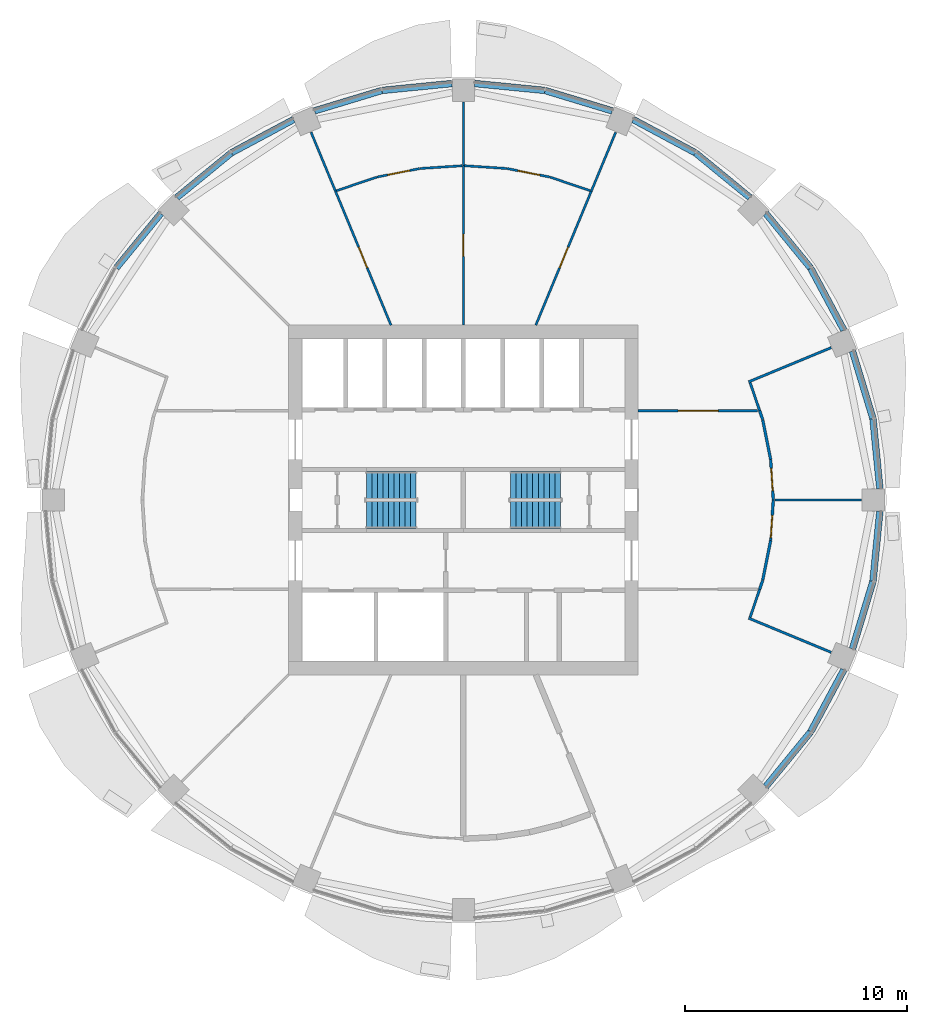
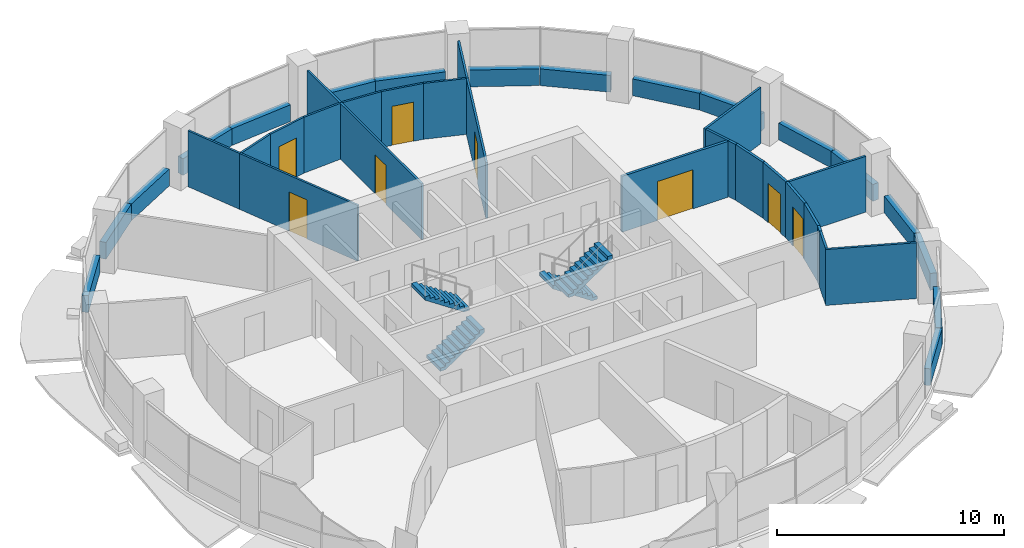
# One storey, part 10 of 15: 41 walls, 8 doors, 4 stair flights, 8 openings, 2 elements without a shape of their own.
"""IFC4 building model written with IfcOpenShell, lengths in metres."""

import ifcopenshell
import ifcopenshell.guid

model = None  # the IFC model being written
_history = None  # IfcOwnerHistory: only IFC2X3 demands one
_inside = {}  # id of a spatial element -> (the spatial element, [elements in it])
_under = {}  # id of a project, library or spatial element -> (it, [spatial elements below it])
_declared = {}  # id of a project -> (the project, [libraries it declares])
_typed = {}  # id of a type object -> (the type object, [elements of that type])
_made_of = {}  # id of a material, layer set ... -> (it, [elements and type objects made of it])


def new_model(schema):
    """Start an empty IFC model of exactly this schema.

    Asked for "IFC4X3", IfcOpenShell would pick the latest addendum, in which some entities
    have other attributes; the version numbers below select the first issue.
    IFC2X3 requires an IfcOwnerHistory on every rooted entity: one is made here for all.
    """
    global model, _history
    if schema == "IFC4X3":
        model = ifcopenshell.file(schema_version=(4, 3, 0, 0))
    else:
        model = ifcopenshell.file(schema=schema)
    _inside.clear()
    _under.clear()
    _declared.clear()
    _typed.clear()
    _made_of.clear()
    _history = None
    if model.schema == "IFC2X3":
        org = make("IfcOrganization", Name="unknown")
        user = make(
            "IfcPersonAndOrganization",
            ThePerson=make("IfcPerson", FamilyName="unknown"),
            TheOrganization=org,
        )
        app = make(
            "IfcApplication",
            ApplicationDeveloper=org,
            Version="unknown",
            ApplicationFullName="unknown",
            ApplicationIdentifier="unknown",
        )
        _history = make(
            "IfcOwnerHistory",
            OwningUser=user,
            OwningApplication=app,
            ChangeAction="ADDED",
            CreationDate=0,
        )
    return model


def make(cls, **values):
    """One entity of the class cls with the attributes given. An attribute that is None is left unset."""
    return model.create_entity(
        cls, **{name: value for name, value in values.items() if value is not None}
    )


def rooted(cls, **values):
    """An entity with a GlobalId (a new one), such as an element, a storey or a relation."""
    return make(cls, GlobalId=ifcopenshell.guid.new(), OwnerHistory=_history, **values)


def si_unit(unit_type, name, prefix=None):
    """IfcSIUnit, for example si_unit("LENGTHUNIT", "METRE", prefix="MILLI")."""
    return make("IfcSIUnit", UnitType=unit_type, Prefix=prefix, Name=name)


def assignment(units):
    """IfcUnitAssignment: the units of a project."""
    return None if units is None else make("IfcUnitAssignment", Units=units)


def point(xyz):
    """IfcCartesianPoint."""
    return None if xyz is None else make("IfcCartesianPoint", Coordinates=xyz)


def direction(xyz):
    """IfcDirection."""
    return None if xyz is None else make("IfcDirection", DirectionRatios=xyz)


def frame(location, z_axis=None, x_axis=None):
    """IfcAxis2Placement3D, a coordinate frame: its origin and axes. An axis left out is left unset."""
    return make(
        "IfcAxis2Placement3D",
        Location=point(location),
        Axis=direction(z_axis),
        RefDirection=direction(x_axis),
    )


def frame_2d(location, x_axis=None):
    """IfcAxis2Placement2D, a coordinate frame in the plane: its origin and x axis."""
    return make(
        "IfcAxis2Placement2D", Location=point(location), RefDirection=direction(x_axis)
    )


def origin():
    """The frame at (0, 0, 0) with its axes left unset."""
    return frame((0.0, 0.0, 0.0))


def place(relative_to, where):
    """IfcLocalPlacement: puts the frame where relative to a parent placement (None: the world)."""
    return make(
        "IfcLocalPlacement", PlacementRelTo=relative_to, RelativePlacement=where
    )


def context(
    kind, dimensions, precision=None, world=None, true_north=None, identifier=None
):
    """IfcGeometricRepresentationContext, for example the 3D "Model" context."""
    return make(
        "IfcGeometricRepresentationContext",
        ContextIdentifier=identifier,
        ContextType=kind,
        CoordinateSpaceDimension=dimensions,
        Precision=precision,
        WorldCoordinateSystem=world,
        TrueNorth=true_north,
    )


def subcontext(parent, identifier, kind, view, scale=None):
    """IfcGeometricRepresentationSubContext, for example "Body" below "Model"."""
    return make(
        "IfcGeometricRepresentationSubContext",
        ContextIdentifier=identifier,
        ContextType=kind,
        ParentContext=parent,
        TargetScale=scale,
        TargetView=view,
    )


def project(units=None, contexts=None):
    """IfcProject with its units and contexts."""
    return rooted(
        "IfcProject",
        Name="project",
        RepresentationContexts=contexts,
        UnitsInContext=assignment(units),
    )


def spatial(cls, under=None, at=None, **own):
    """A site, building, storey or space (cls), placed at a placement, below another one or the project."""
    s = rooted(cls, ObjectPlacement=at, **own)
    if under is not None:
        _under.setdefault(under.id(), (under, []))[1].append(s)
    return s


def polyline(points):
    """IfcPolyline through the points."""
    return make("IfcPolyline", Points=[point(p) for p in points])


def profile(cls, at=None, kind="AREA", **sizes):
    """A parametric profile (cls). Its sizes go by their IFC names, for example OverallWidth=200.0."""
    return make(cls, ProfileType=kind, Position=at, **sizes)


def rectangle(**sizes):
    """IfcRectangleProfileDef."""
    return profile("IfcRectangleProfileDef", **sizes)


def outline(outer, holes=None, kind="AREA"):
    """IfcArbitraryClosedProfileDef: a profile drawn as a closed curve; with holes, ...WithVoids."""
    if holes is None:
        return make("IfcArbitraryClosedProfileDef", ProfileType=kind, OuterCurve=outer)
    return make(
        "IfcArbitraryProfileDefWithVoids",
        ProfileType=kind,
        OuterCurve=outer,
        InnerCurves=holes,
    )


def extrude(swept, where, along, depth):
    """IfcExtrudedAreaSolid: the profile swept, set in the frame where, extruded along a direction by depth."""
    return make(
        "IfcExtrudedAreaSolid",
        SweptArea=swept,
        Position=where,
        ExtrudedDirection=direction(along),
        Depth=depth,
    )


def shape(context_of_items, identifier, shape_type, items):
    """IfcShapeRepresentation: the items that make up one representation, for example the "Body"."""
    return make(
        "IfcShapeRepresentation",
        ContextOfItems=context_of_items,
        RepresentationIdentifier=identifier,
        RepresentationType=shape_type,
        Items=items,
    )


def material(Name=None, Category=None):
    """IfcMaterial."""
    return make("IfcMaterial", Name=Name, Category=Category)


def layer(
    of_material, thickness, ventilated=None, Name=None, Category=None, Priority=None
):
    """IfcMaterialLayer: one layer of a wall or slab, of a material (None: an air gap)."""
    return make(
        "IfcMaterialLayer",
        Material=of_material,
        LayerThickness=thickness,
        IsVentilated=ventilated,
        Name=Name,
        Category=Category,
        Priority=Priority,
    )


def layer_set(layers, Name=None):
    """IfcMaterialLayerSet."""
    return make("IfcMaterialLayerSet", MaterialLayers=layers, LayerSetName=Name)


def made_of(thing, what):
    """Note that an element or type object is made of a material, layer set ...; save() writes the relation."""
    if what is not None:
        _made_of.setdefault(what.id(), (what, []))[1].append(thing)
    return thing


def type_object(cls, material=None, **own):
    """A type object (cls), such as IfcWallType, which elements share."""
    return made_of(rooted(cls, **own), material)


def element(
    cls,
    number,
    at=None,
    inside=None,
    cuts=None,
    type_object=None,
    material=None,
    context=None,
    identifier="Body",
    shape_type=None,
    held_by="IfcProductDefinitionShape",
    body=None,
    shapes=None,
    **own,
):
    """One element of the class cls, such as IfcWall. Its Tag is "e" and its number.

    at: its placement. inside: the storey or other place that contains it. cuts: it is an
    opening in that element (IfcRelVoidsElement). A single representation is given by context,
    identifier, shape_type and body (its items); several are given by shapes. held_by: the class
    of the entity that holds the representations. save() writes the other relations.
    """
    e = rooted(cls, Tag="e%d" % number, ObjectPlacement=at, **own)
    if body is not None:
        shapes = [shape(context, identifier, shape_type, body)]
    if shapes is not None:
        e.Representation = make(held_by, Representations=shapes)
    if inside is not None:
        _inside.setdefault(inside.id(), (inside, []))[1].append(e)
    if cuts is not None:
        rooted(
            "IfcRelVoidsElement", RelatingBuildingElement=cuts, RelatedOpeningElement=e
        )
    if type_object is not None:
        _typed.setdefault(type_object.id(), (type_object, []))[1].append(e)
    return made_of(e, material)


def fill(opening, filler):
    """IfcRelFillsElement: the door or window that sits in an opening."""
    return rooted(
        "IfcRelFillsElement",
        RelatingOpeningElement=opening,
        RelatedBuildingElement=filler,
    )


def aggregate(whole, parts):
    """IfcRelAggregates: a whole, such as a stair, and the parts it consists of."""
    return rooted("IfcRelAggregates", RelatingObject=whole, RelatedObjects=parts)


def save(model, path):
    """Write the relations noted so far, then the file.

    IfcRelAggregates (storeys below a building ...), IfcRelContainedInSpatialStructure (elements
    in a storey), IfcRelDefinesByType, IfcRelAssociatesMaterial and IfcRelDeclares: one each for
    every whole, place, type object, material and project.
    """
    for whole, parts in _under.values():
        aggregate(whole, parts)
    for where, things in _inside.values():
        rooted(
            "IfcRelContainedInSpatialStructure",
            RelatedElements=things,
            RelatingStructure=where,
        )
    for kind, things in _typed.values():
        rooted("IfcRelDefinesByType", RelatedObjects=things, RelatingType=kind)
    for what, things in _made_of.values():
        rooted("IfcRelAssociatesMaterial", RelatedObjects=things, RelatingMaterial=what)
    for by, libraries in _declared.values():
        rooted("IfcRelDeclares", RelatingContext=by, RelatedDefinitions=libraries)
    model.write(path)


model = new_model("IFC4")

# Units and contexts
model_context = context("Model", 3, precision=1e-05, world=origin(), true_north=direction((0.0, 1.0)))
body_context = subcontext(model_context, "Body", "Model", "MODEL_VIEW")
ifc_project = project(units=[si_unit("LENGTHUNIT", "METRE"), si_unit("AREAUNIT", "SQUARE_METRE"), si_unit("VOLUMEUNIT", "CUBIC_METRE"), si_unit("PLANEANGLEUNIT", "RADIAN"), si_unit("MASSUNIT", "GRAM", prefix="KILO")], contexts=[model_context])

# Site, building, storey
site_placement = place(None, origin())
site = spatial("IfcSite", under=ifc_project, at=site_placement, CompositionType="ELEMENT")
building_placement = place(site_placement, origin())
building = spatial("IfcBuilding", under=site, at=building_placement, Name="Polderwave Tower", CompositionType="ELEMENT")
storey_placement = place(building_placement, frame((0.0, 0.0, 124.300048828125)))
storey = spatial("IfcBuildingStorey", under=building, at=storey_placement, Name="L32", CompositionType="ELEMENT", Elevation=124.300048828125)

# Walls
ifc_material_1 = material(Name="Concrete C50/60 (board-marked)", Category="concrete")
ifc_layer_1 = layer(ifc_material_1, 0.300048828125)
ifc_layer_set_1 = layer_set([ifc_layer_1], Name="Concrete spandrel upstand C50/60")
wall_type_1 = type_object("IfcWallType", Name="Concrete spandrel upstand C50/60", PredefinedType="SOLIDWALL", material=ifc_layer_set_1)
wall_1_placement = place(storey_placement, frame((18.759521484375, 0.513916015625, 0.0), z_axis=(0.0, 0.0, 1.0), x_axis=(-0.097956108817, 0.995190735862, 0.0)))
element("IfcWall", 1, at=wall_1_placement, inside=storey, type_object=wall_type_1, Name="Spandrel L32 1a", PredefinedType="SOLIDWALL", context=body_context, shape_type="SweptSolid", body=[
    extrude(rectangle(XDim=3.1552734375, YDim=0.300048828125, at=frame_2d((1.57763671875, 0.0))), origin(), (0.0, 0.0, 1.0), 0.89990234375),
])
wall_2_placement = place(storey_placement, frame((18.444580078125, 3.683349609375, 0.0), z_axis=(0.0, 0.0, 1.0), x_axis=(-0.290503096001, 0.956874051907, 0.0)))
element("IfcWall", 2, at=wall_2_placement, inside=storey, type_object=wall_type_1, Name="Spandrel L32 1b", PredefinedType="SOLIDWALL", context=body_context, shape_type="SweptSolid", body=[
    extrude(rectangle(XDim=3.157470703125, YDim=0.300048828125, at=frame_2d((1.57861328125, 0.0))), origin(), (0.0, 0.0, 1.0), 0.89990234375),
])
wall_3_placement = place(storey_placement, frame((17.135009765625, 7.654296875, 0.0), z_axis=(0.0, 0.0, 1.0), x_axis=(-0.471527722113, 0.881851238747, 0.0)))
element("IfcWall", 3, at=wall_3_placement, inside=storey, type_object=wall_type_1, Name="Spandrel L32 2a", PredefinedType="SOLIDWALL", context=body_context, shape_type="SweptSolid", body=[
    extrude(rectangle(XDim=3.1552734375, YDim=0.300048828125, at=frame_2d((1.57763671875, 0.0))), origin(), (0.0, 0.0, 1.0), 0.89990234375),
])
for number, where, z_axis, x_axis, name in (
    (4, (15.630615234375, 10.461669921875, 0.0), (0.0, 0.0, 1.0), (-0.634239575548, 0.773136573193, 0.0), "Spandrel L32 2b"),
    (5, (12.90234375, 13.62841796875, 0.0), (0.0, 0.0, 1.0), (-0.773136573193, 0.634239575548, 0.0), "Spandrel L32 3a"),
):
    element("IfcWall", number, at=place(storey_placement, frame(where, z_axis=z_axis, x_axis=x_axis)), inside=storey, type_object=wall_type_1, Name=name, PredefinedType="SOLIDWALL", context=body_context, shape_type="SweptSolid", body=[
        extrude(rectangle(XDim=3.15673828125, YDim=0.300048828125, at=frame_2d((1.578369140625, 0.0))), origin(), (0.0, 0.0, 1.0), 0.89990234375),
    ])
wall_4_placement = place(storey_placement, frame((10.436767578125, 15.647216796875, 0.0), z_axis=(0.0, 0.0, 1.0), x_axis=(-0.881851238747, 0.471527722113, 0.0)))
element("IfcWall", 6, at=wall_4_placement, inside=storey, type_object=wall_type_1, Name="Spandrel L32 3b", PredefinedType="SOLIDWALL", context=body_context, shape_type="SweptSolid", body=[
    extrude(rectangle(XDim=3.1552734375, YDim=0.300048828125, at=frame_2d((1.57763671875, 0.0))), origin(), (0.0, 0.0, 1.0), 0.89990234375),
])
wall_5_placement = place(storey_placement, frame((6.70458984375, 17.52734375, 0.0), z_axis=(0.0, 0.0, 1.0), x_axis=(-0.956874051907, 0.290503096001, 0.0)))
element("IfcWall", 7, at=wall_5_placement, inside=storey, type_object=wall_type_1, Name="Spandrel L32 4a", PredefinedType="SOLIDWALL", context=body_context, shape_type="SweptSolid", body=[
    extrude(rectangle(XDim=3.157470703125, YDim=0.300048828125, at=frame_2d((1.57861328125, 0.0))), origin(), (0.0, 0.0, 1.0), 0.89990234375),
])
for number, where, z_axis, x_axis, name in (
    (8, (3.654052734375, 18.450439453125, 0.0), (0.0, 0.0, 1.0), (-0.995190735862, 0.097956108817, 0.0), "Spandrel L32 4b"),
    (9, (-0.513916015625, 18.759521484375, 0.0), (0.0, 0.0, 1.0), (-0.995190735862, -0.097956108817, 0.0), "Spandrel L32 5a"),
):
    element("IfcWall", number, at=place(storey_placement, frame(where, z_axis=z_axis, x_axis=x_axis)), inside=storey, type_object=wall_type_1, Name=name, PredefinedType="SOLIDWALL", context=body_context, shape_type="SweptSolid", body=[
        extrude(rectangle(XDim=3.1552734375, YDim=0.300048828125, at=frame_2d((1.57763671875, 0.0))), origin(), (0.0, 0.0, 1.0), 0.89990234375),
    ])
wall_6_placement = place(storey_placement, frame((-3.683349609375, 18.444580078125, 0.0), z_axis=(0.0, 0.0, 1.0), x_axis=(-0.956874051907, -0.290503096001, 0.0)))
element("IfcWall", 10, at=wall_6_placement, inside=storey, type_object=wall_type_1, Name="Spandrel L32 5b", PredefinedType="SOLIDWALL", context=body_context, shape_type="SweptSolid", body=[
    extrude(rectangle(XDim=3.157470703125, YDim=0.300048828125, at=frame_2d((1.57861328125, 0.0))), origin(), (0.0, 0.0, 1.0), 0.89990234375),
])
wall_7_placement = place(storey_placement, frame((-7.654296875, 17.135009765625, 0.0), z_axis=(0.0, 0.0, 1.0), x_axis=(-0.881851238747, -0.471527722113, 0.0)))
element("IfcWall", 11, at=wall_7_placement, inside=storey, type_object=wall_type_1, Name="Spandrel L32 6a", PredefinedType="SOLIDWALL", context=body_context, shape_type="SweptSolid", body=[
    extrude(rectangle(XDim=3.1552734375, YDim=0.300048828125, at=frame_2d((1.57763671875, 0.0))), origin(), (0.0, 0.0, 1.0), 0.89990234375),
])
for number, where, z_axis, x_axis, name in (
    (12, (-10.461669921875, 15.630615234375, 0.0), (0.0, 0.0, 1.0), (-0.773136573193, -0.634239575548, 0.0), "Spandrel L32 6b"),
    (13, (-13.62841796875, 12.90234375, 0.0), (0.0, 0.0, 1.0), (-0.634239575548, -0.773136573193, 0.0), "Spandrel L32 7a"),
    (14, (13.62841796875, -12.90234375, 0.0), (0.0, 0.0, 1.0), (0.634239575548, 0.773136573193, 0.0), "Spandrel L32 15a"),
):
    element("IfcWall", number, at=place(storey_placement, frame(where, z_axis=z_axis, x_axis=x_axis)), inside=storey, type_object=wall_type_1, Name=name, PredefinedType="SOLIDWALL", context=body_context, shape_type="SweptSolid", body=[
        extrude(rectangle(XDim=3.15673828125, YDim=0.300048828125, at=frame_2d((1.578369140625, 0.0))), origin(), (0.0, 0.0, 1.0), 0.89990234375),
    ])
wall_8_placement = place(storey_placement, frame((15.647216796875, -10.436767578125, 0.0), z_axis=(0.0, 0.0, 1.0), x_axis=(0.471527722113, 0.881851238747, 0.0)))
element("IfcWall", 15, at=wall_8_placement, inside=storey, type_object=wall_type_1, Name="Spandrel L32 15b", PredefinedType="SOLIDWALL", context=body_context, shape_type="SweptSolid", body=[
    extrude(rectangle(XDim=3.1552734375, YDim=0.300048828125, at=frame_2d((1.57763671875, 0.0))), origin(), (0.0, 0.0, 1.0), 0.89990234375),
])
wall_9_placement = place(storey_placement, frame((17.52734375, -6.70458984375, 0.0), z_axis=(0.0, 0.0, 1.0), x_axis=(0.290503096001, 0.956874051907, 0.0)))
element("IfcWall", 16, at=wall_9_placement, inside=storey, type_object=wall_type_1, Name="Spandrel L32 16a", PredefinedType="SOLIDWALL", context=body_context, shape_type="SweptSolid", body=[
    extrude(rectangle(XDim=3.157470703125, YDim=0.300048828125, at=frame_2d((1.57861328125, 0.0))), origin(), (0.0, 0.0, 1.0), 0.89990234375),
])
wall_10_placement = place(storey_placement, frame((18.450439453125, -3.654052734375, 0.0), z_axis=(0.0, 0.0, 1.0), x_axis=(0.097956108817, 0.995190735862, 0.0)))
element("IfcWall", 17, at=wall_10_placement, inside=storey, type_object=wall_type_1, Name="Spandrel L32 16b", PredefinedType="SOLIDWALL", context=body_context, shape_type="SweptSolid", body=[
    extrude(rectangle(XDim=3.1552734375, YDim=0.300048828125, at=frame_2d((1.57763671875, 0.0))), origin(), (0.0, 0.0, 1.0), 0.89990234375),
])
ifc_material_2 = material(Name="Fire-resisting board on steel studs", Category="steel")
ifc_layer_2 = layer(ifc_material_2, 0.125)
ifc_layer_set_2 = layer_set([ifc_layer_2], Name="Corridor wall 125 mm EI 60")
wall_type_2 = type_object("IfcWallType", Name="Corridor wall 125 mm EI 60", PredefinedType="PARTITIONING", material=ifc_layer_set_2)
wall_11_placement = place(storey_placement, frame((13.3447265625, 4.0244140625, 0.0), z_axis=(0.0, 0.0, 1.0), x_axis=(0.321160043658, -0.947024934391, 0.0)))
element("IfcWall", 18, at=wall_11_placement, inside=storey, type_object=wall_type_2, Name="IN-L32-W001", PredefinedType="PARTITIONING", context=body_context, shape_type="SweptSolid", body=[
    extrude(rectangle(XDim=0.43017578125, YDim=0.125, at=frame_2d((0.215087890625, 0.0))), origin(), (0.0, 0.0, 1.0), 3.0),
])
wall_12_placement = place(storey_placement, frame((13.485107421875, 3.609130859375, 0.0), z_axis=(0.0, 0.0, 1.0), x_axis=(0.195134630283, -0.980776465901, 0.0)))
element("IfcWall", 19, at=wall_12_placement, inside=storey, type_object=wall_type_2, Name="IN-L32-W002", PredefinedType="PARTITIONING", context=body_context, shape_type="SweptSolid", body=[
    extrude(rectangle(XDim=1.81787109375, YDim=0.125, at=frame_2d((0.908935546875, 0.0))), origin(), (0.0, 0.0, 1.0), 3.0),
])

# Wall, opening, door
wall_13_placement = place(storey_placement, frame((13.8408203125, 1.818115234375, 0.0), z_axis=(0.0, 0.0, 1.0), x_axis=(0.065389497851, -0.997859816593, 0.0)))
wall_13 = element("IfcWall", 20, at=wall_13_placement, inside=storey, type_object=wall_type_2, Name="IN-L32-W003", PredefinedType="PARTITIONING", context=body_context, shape_type="SweptSolid", body=[
    extrude(rectangle(XDim=1.822021484375, YDim=0.125, at=frame_2d((0.9111328125, 0.0))), origin(), (0.0, 0.0, 1.0), 3.0),
])
opening_1_placement = place(wall_13_placement, frame((0.39990234375, 0.0, 0.0)))
opening_1 = element("IfcOpeningElement", 21, at=opening_1_placement, cuts=wall_13, Name="Opening L32-D50", PredefinedType="OPENING", context=body_context, shape_type="SweptSolid", body=[
    extrude(rectangle(XDim=1.0, YDim=2.10009765625, at=frame_2d((0.5, 1.050048828125))), frame((0.0, 0.072509765625, 0.0), z_axis=(0.0, -1.0, 0.0), x_axis=(1.0, 0.0, 0.0)), (0.0, 0.0, 1.0), 0.14501953125),
])
ifc_material_3 = material(Name="Timber fire door leaf", Category="wood")
door_type_1 = type_object("IfcDoorType", Name="Fire door FD30S 1000 x 2100", OperationType="NOTDEFINED", PredefinedType="DOOR", material=ifc_material_3)
door_1_placement = place(opening_1_placement, origin())
door_1 = element("IfcDoor", 22, at=door_1_placement, inside=storey, type_object=door_type_1, Name="Door L32-D50", OperationType="SINGLE_SWING_LEFT", OverallHeight=2.10009765625, OverallWidth=1.0, PredefinedType="DOOR", context=body_context, shape_type="SweptSolid", body=[
    extrude(rectangle(XDim=1.0, YDim=2.10009765625, at=frame_2d((0.5, 1.050048828125))), frame((0.0, 0.02490234375, 0.0), z_axis=(0.0, -1.0, 0.0), x_axis=(1.0, 0.0, 0.0)), (0.0, 0.0, 1.0), 0.050048828125),
])
fill(opening_1, door_1)

wall_14_placement = place(storey_placement, frame((7.8740234375, 4.0244140625, 0.0), z_axis=(0.0, 0.0, 1.0), x_axis=(1.0, 0.0, 0.0)))
wall_14 = element("IfcWall", 23, at=wall_14_placement, inside=storey, type_object=wall_type_2, Name="IN-L32-W004", PredefinedType="PARTITIONING", context=body_context, shape_type="SweptSolid", body=[
    extrude(rectangle(XDim=5.383544921875, YDim=0.125, at=frame_2d((2.69189453125, 0.0))), origin(), (0.0, 0.0, 1.0), 3.0),
])
opening_2_placement = place(wall_14_placement, frame((1.800048828125, 0.0, 0.0)))
opening_2 = element("IfcOpeningElement", 24, at=opening_2_placement, cuts=wall_14, Name="Opening L32-D51", PredefinedType="OPENING", context=body_context, shape_type="SweptSolid", body=[
    extrude(rectangle(XDim=1.800048828125, YDim=2.10009765625, at=frame_2d((0.89990234375, 1.050048828125))), frame((0.0, 0.072509765625, 0.0), z_axis=(0.0, -1.0, 0.0), x_axis=(1.0, 0.0, 0.0)), (0.0, 0.0, 1.0), 0.14501953125),
])
ifc_material_4 = material(Name="Timber fire door leaves", Category="wood")
door_type_2 = type_object("IfcDoorType", Name="Double fire door FD30S 1800 x 2100", OperationType="NOTDEFINED", PredefinedType="DOOR", material=ifc_material_4)
door_2_placement = place(opening_2_placement, origin())
door_2 = element("IfcDoor", 25, at=door_2_placement, inside=storey, type_object=door_type_2, Name="Door L32-D51", OperationType="DOUBLE_DOOR_SINGLE_SWING", OverallHeight=2.10009765625, OverallWidth=1.800048828125, PredefinedType="DOOR", context=body_context, shape_type="SweptSolid", body=[
    extrude(rectangle(XDim=1.800048828125, YDim=2.10009765625, at=frame_2d((0.89990234375, 1.050048828125))), frame((0.0, 0.02490234375, 0.0), z_axis=(0.0, -1.0, 0.0), x_axis=(1.0, 0.0, 0.0)), (0.0, 0.0, 1.0), 0.050048828125),
])
fill(opening_2, door_2)

# Walls
wall_15_placement = place(storey_placement, frame((13.48291015625, -3.616943359375, 0.0), z_axis=(0.0, 0.0, 1.0), x_axis=(-0.321160043658, -0.947024934391, 0.0)))
element("IfcWall", 26, at=wall_15_placement, inside=storey, type_object=wall_type_2, Name="IN-L32-W006", PredefinedType="PARTITIONING", context=body_context, shape_type="SweptSolid", body=[
    extrude(rectangle(XDim=0.43017578125, YDim=0.125, at=frame_2d((0.215087890625, 0.0))), origin(), (0.0, 0.0, 1.0), 3.0),
])
wall_16_placement = place(storey_placement, frame((13.83984375, -1.826171875, 0.0), z_axis=(0.0, 0.0, 1.0), x_axis=(-0.195134630283, -0.980776465901, 0.0)))
element("IfcWall", 27, at=wall_16_placement, inside=storey, type_object=wall_type_2, Name="IN-L32-W007", PredefinedType="PARTITIONING", context=body_context, shape_type="SweptSolid", body=[
    extrude(rectangle(XDim=1.81787109375, YDim=0.125, at=frame_2d((0.908935546875, 0.0))), origin(), (0.0, 0.0, 1.0), 3.0),
])

# Wall, opening, door
wall_17_placement = place(storey_placement, frame((13.9599609375, 0.0, 0.0), z_axis=(0.0, 0.0, 1.0), x_axis=(-0.065389497851, -0.997859816593, 0.0)))
wall_17 = element("IfcWall", 28, at=wall_17_placement, inside=storey, type_object=wall_type_2, Name="IN-L32-W008", PredefinedType="PARTITIONING", context=body_context, shape_type="SweptSolid", body=[
    extrude(rectangle(XDim=1.822021484375, YDim=0.125, at=frame_2d((0.9111328125, 0.0))), origin(), (0.0, 0.0, 1.0), 3.0),
])
opening_3_placement = place(wall_17_placement, frame((0.699951171875, 0.0, 0.0)))
opening_3 = element("IfcOpeningElement", 29, at=opening_3_placement, cuts=wall_17, Name="Opening L32-D53", PredefinedType="OPENING", context=body_context, shape_type="SweptSolid", body=[
    extrude(rectangle(XDim=1.0, YDim=2.10009765625, at=frame_2d((0.5, 1.050048828125))), frame((0.0, 0.072509765625, 0.0), z_axis=(0.0, -1.0, 0.0), x_axis=(1.0, 0.0, 0.0)), (0.0, 0.0, 1.0), 0.14501953125),
])
door_3_placement = place(opening_3_placement, origin())
door_3 = element("IfcDoor", 30, at=door_3_placement, inside=storey, type_object=door_type_1, Name="Door L32-D53", OperationType="SINGLE_SWING_RIGHT", OverallHeight=2.10009765625, OverallWidth=1.0, PredefinedType="DOOR", context=body_context, shape_type="SweptSolid", body=[
    extrude(rectangle(XDim=1.0, YDim=2.10009765625, at=frame_2d((0.5, 1.050048828125))), frame((0.0, 0.02490234375, 0.0), z_axis=(0.0, -1.0, 0.0), x_axis=(1.0, 0.0, 0.0)), (0.0, 0.0, 1.0), 0.050048828125),
])
fill(opening_3, door_3)

ifc_material_5 = material(Name="Plasterboard on steel studs", Category="steel")
ifc_layer_3 = layer(ifc_material_5, 0.10009765625)
ifc_layer_set_3 = layer_set([ifc_layer_3], Name="Partition 100 mm plasterboard on steel studs")
wall_type_3 = type_object("IfcWallType", Name="Partition 100 mm plasterboard on steel studs", PredefinedType="PARTITIONING", material=ifc_layer_set_3)
wall_18_placement = place(storey_placement, frame((3.261474609375, 7.8740234375, 0.0), z_axis=(0.0, 0.0, 1.0), x_axis=(0.382689326263, 0.923877091157, 0.0)))
wall_18 = element("IfcWall", 31, at=wall_18_placement, inside=storey, type_object=wall_type_3, Name="IN-L32-W020", PredefinedType="PARTITIONING", context=body_context, shape_type="SweptSolid", body=[
    extrude(rectangle(XDim=6.537109375, YDim=0.10009765625, at=frame_2d((3.2685546875, 0.0))), origin(), (0.0, 0.0, 1.0), 3.0),
])
opening_4_placement = place(wall_18_placement, frame((2.800048828125, 0.0, 0.0)))
opening_4 = element("IfcOpeningElement", 32, at=opening_4_placement, cuts=wall_18, Name="Opening L32-D57", PredefinedType="OPENING", context=body_context, shape_type="SweptSolid", body=[
    extrude(rectangle(XDim=1.0, YDim=2.10009765625, at=frame_2d((0.5, 1.050048828125))), frame((0.0, 0.06005859375, 0.0), z_axis=(0.0, -1.0, 0.0), x_axis=(1.0, 0.0, 0.0)), (0.0, 0.0, 1.0), 0.1201171875),
])
ifc_material_6 = material(Name="Timber veneer door leaf", Category="wood")
door_type_3 = type_object("IfcDoorType", Name="Single door 1000 x 2100", OperationType="NOTDEFINED", PredefinedType="DOOR", material=ifc_material_6)
door_4_placement = place(opening_4_placement, origin())
door_4 = element("IfcDoor", 33, at=door_4_placement, inside=storey, type_object=door_type_3, Name="Door L32-D57", OperationType="SINGLE_SWING_RIGHT", OverallHeight=2.10009765625, OverallWidth=1.0, PredefinedType="DOOR", context=body_context, shape_type="SweptSolid", body=[
    extrude(rectangle(XDim=1.0, YDim=2.10009765625, at=frame_2d((0.5, 1.050048828125))), frame((0.0, 0.02490234375, 0.0), z_axis=(0.0, -1.0, 0.0), x_axis=(1.0, 0.0, 0.0)), (0.0, 0.0, 1.0), 0.050048828125),
])
fill(opening_4, door_4)

# Walls
wall_19_placement = place(storey_placement, frame((5.76318359375, 13.91357421875, 0.0), z_axis=(0.0, 0.0, 1.0), x_axis=(0.382699877515, 0.923872720536, 0.0)))
element("IfcWall", 34, at=wall_19_placement, inside=storey, type_object=wall_type_3, Name="IN-L32-W021", PredefinedType="PARTITIONING", context=body_context, shape_type="SweptSolid", body=[
    extrude(rectangle(XDim=2.8701171875, YDim=0.10009765625, at=frame_2d((1.43505859375, 0.0))), origin(), (0.0, 0.0, 1.0), 3.0),
])
wall_20_placement = place(storey_placement, frame((0.05322265625, 15.056396484375, 0.0), z_axis=(0.0, 0.0, 1.0), x_axis=(0.997863500095, -0.06533326241, 0.0)))
element("IfcWall", 35, at=wall_20_placement, inside=storey, type_object=wall_type_3, Name="IN-L32-W022", PredefinedType="PARTITIONING", context=body_context, shape_type="SweptSolid", body=[
    extrude(rectangle(XDim=1.913330078125, YDim=0.10009765625, at=frame_2d((0.95654296875, 0.0))), origin(), (0.0, 0.0, 1.0), 3.0),
])

# Wall, opening, door
wall_21_placement = place(storey_placement, frame((1.968994140625, 14.9306640625, 0.0), z_axis=(0.0, 0.0, 1.0), x_axis=(0.980757237699, -0.195231249295, 0.0)))
wall_21 = element("IfcWall", 36, at=wall_21_placement, inside=storey, type_object=wall_type_3, Name="IN-L32-W023", PredefinedType="PARTITIONING", context=body_context, shape_type="SweptSolid", body=[
    extrude(rectangle(XDim=1.96337890625, YDim=0.10009765625, at=frame_2d((0.981689453125, 0.0))), origin(), (0.0, 0.0, 1.0), 3.0),
])
opening_5_placement = place(wall_21_placement, frame((0.5, 0.0, 0.0)))
opening_5 = element("IfcOpeningElement", 37, at=opening_5_placement, cuts=wall_21, Name="Opening L32-D58", PredefinedType="OPENING", context=body_context, shape_type="SweptSolid", body=[
    extrude(rectangle(XDim=1.0, YDim=2.10009765625, at=frame_2d((0.5, 1.050048828125))), frame((0.0, 0.06005859375, 0.0), z_axis=(0.0, -1.0, 0.0), x_axis=(1.0, 0.0, 0.0)), (0.0, 0.0, 1.0), 0.1201171875),
])
door_5_placement = place(opening_5_placement, origin())
door_5 = element("IfcDoor", 38, at=door_5_placement, inside=storey, type_object=door_type_3, Name="Door L32-D58", OperationType="SINGLE_SWING_RIGHT", OverallHeight=2.10009765625, OverallWidth=1.0, PredefinedType="DOOR", context=body_context, shape_type="SweptSolid", body=[
    extrude(rectangle(XDim=1.0, YDim=2.10009765625, at=frame_2d((0.5, 1.050048828125))), frame((0.0, 0.02490234375, 0.0), z_axis=(0.0, -1.0, 0.0), x_axis=(1.0, 0.0, 0.0)), (0.0, 0.0, 1.0), 0.050048828125),
])
fill(opening_5, door_5)

# Wall
wall_22_placement = place(storey_placement, frame((3.90087890625, 14.545654296875, 0.0), z_axis=(0.0, 0.0, 1.0), x_axis=(0.946972460269, -0.321314735879, 0.0)))
element("IfcWall", 39, at=wall_22_placement, inside=storey, type_object=wall_type_3, Name="IN-L32-W024", PredefinedType="PARTITIONING", context=body_context, shape_type="SweptSolid", body=[
    extrude(rectangle(XDim=1.913330078125, YDim=0.10009765625, at=frame_2d((0.95654296875, 0.0))), origin(), (0.0, 0.0, 1.0), 3.0),
])

# Wall, opening, door
wall_23_placement = place(storey_placement, frame((0.0, 7.8740234375, 0.0), z_axis=(0.0, 0.0, 1.0), x_axis=(0.0, 1.0, 0.0)))
wall_23 = element("IfcWall", 40, at=wall_23_placement, inside=storey, type_object=wall_type_3, Name="IN-L32-W025", PredefinedType="PARTITIONING", context=body_context, shape_type="SweptSolid", body=[
    extrude(rectangle(XDim=7.18603515625, YDim=0.10009765625, at=frame_2d((3.593017578125, 0.0))), origin(), (0.0, 0.0, 1.0), 3.0),
])
opening_6_placement = place(wall_23_placement, frame((3.10009765625, 0.0, 0.0)))
opening_6 = element("IfcOpeningElement", 41, at=opening_6_placement, cuts=wall_23, Name="Opening L32-D59", PredefinedType="OPENING", context=body_context, shape_type="SweptSolid", body=[
    extrude(rectangle(XDim=1.0, YDim=2.10009765625, at=frame_2d((0.5, 1.050048828125))), frame((0.0, 0.06005859375, 0.0), z_axis=(0.0, -1.0, 0.0), x_axis=(1.0, 0.0, 0.0)), (0.0, 0.0, 1.0), 0.1201171875),
])
door_6_placement = place(opening_6_placement, origin())
door_6 = element("IfcDoor", 42, at=door_6_placement, inside=storey, type_object=door_type_3, Name="Door L32-D59", OperationType="SINGLE_SWING_RIGHT", OverallHeight=2.10009765625, OverallWidth=1.0, PredefinedType="DOOR", context=body_context, shape_type="SweptSolid", body=[
    extrude(rectangle(XDim=1.0, YDim=2.10009765625, at=frame_2d((0.5, 1.050048828125))), frame((0.0, 0.02490234375, 0.0), z_axis=(0.0, -1.0, 0.0), x_axis=(1.0, 0.0, 0.0)), (0.0, 0.0, 1.0), 0.050048828125),
])
fill(opening_6, door_6)

# Walls
wall_24_placement = place(storey_placement, frame((0.0, 15.06005859375, 0.0), z_axis=(0.0, 0.0, 1.0), x_axis=(0.0, 1.0, 0.0)))
element("IfcWall", 43, at=wall_24_placement, inside=storey, type_object=wall_type_3, Name="IN-L32-W026", PredefinedType="PARTITIONING", context=body_context, shape_type="SweptSolid", body=[
    extrude(rectangle(XDim=2.869873046875, YDim=0.10009765625, at=frame_2d((1.43505859375, 0.0))), origin(), (0.0, 0.0, 1.0), 3.0),
])
wall_25_placement = place(storey_placement, frame((-5.712646484375, 13.930908203125, 0.0), z_axis=(0.0, 0.0, 1.0), x_axis=(0.946972460269, 0.321314735879, 0.0)))
element("IfcWall", 44, at=wall_25_placement, inside=storey, type_object=wall_type_3, Name="IN-L32-W027", PredefinedType="PARTITIONING", context=body_context, shape_type="SweptSolid", body=[
    extrude(rectangle(XDim=1.913330078125, YDim=0.10009765625, at=frame_2d((0.95654296875, 0.0))), origin(), (0.0, 0.0, 1.0), 3.0),
])

# Wall, opening, door
wall_26_placement = place(storey_placement, frame((-3.89453125, 14.54736328125, 0.0), z_axis=(0.0, 0.0, 1.0), x_axis=(0.980757237699, 0.195231249295, 0.0)))
wall_26 = element("IfcWall", 45, at=wall_26_placement, inside=storey, type_object=wall_type_3, Name="IN-L32-W028", PredefinedType="PARTITIONING", context=body_context, shape_type="SweptSolid", body=[
    extrude(rectangle(XDim=1.96337890625, YDim=0.10009765625, at=frame_2d((0.981689453125, 0.0))), origin(), (0.0, 0.0, 1.0), 3.0),
])
opening_7_placement = place(wall_26_placement, frame((0.5, 0.0, 0.0)))
opening_7 = element("IfcOpeningElement", 46, at=opening_7_placement, cuts=wall_26, Name="Opening L32-D60", PredefinedType="OPENING", context=body_context, shape_type="SweptSolid", body=[
    extrude(rectangle(XDim=1.0, YDim=2.10009765625, at=frame_2d((0.5, 1.050048828125))), frame((0.0, 0.06005859375, 0.0), z_axis=(0.0, -1.0, 0.0), x_axis=(1.0, 0.0, 0.0)), (0.0, 0.0, 1.0), 0.1201171875),
])
door_7_placement = place(opening_7_placement, origin())
door_7 = element("IfcDoor", 47, at=door_7_placement, inside=storey, type_object=door_type_3, Name="Door L32-D60", OperationType="SINGLE_SWING_RIGHT", OverallHeight=2.10009765625, OverallWidth=1.0, PredefinedType="DOOR", context=body_context, shape_type="SweptSolid", body=[
    extrude(rectangle(XDim=1.0, YDim=2.10009765625, at=frame_2d((0.5, 1.050048828125))), frame((0.0, 0.02490234375, 0.0), z_axis=(0.0, -1.0, 0.0), x_axis=(1.0, 0.0, 0.0)), (0.0, 0.0, 1.0), 0.050048828125),
])
fill(opening_7, door_7)

# Wall
wall_27_placement = place(storey_placement, frame((-1.96240234375, 14.931396484375, 0.0), z_axis=(0.0, 0.0, 1.0), x_axis=(0.997863500095, 0.06533326241, 0.0)))
element("IfcWall", 48, at=wall_27_placement, inside=storey, type_object=wall_type_3, Name="IN-L32-W029", PredefinedType="PARTITIONING", context=body_context, shape_type="SweptSolid", body=[
    extrude(rectangle(XDim=1.913330078125, YDim=0.10009765625, at=frame_2d((0.95654296875, 0.0))), origin(), (0.0, 0.0, 1.0), 3.0),
])

# Wall, opening, door
wall_28_placement = place(storey_placement, frame((-3.261474609375, 7.8740234375, 0.0), z_axis=(0.0, 0.0, 1.0), x_axis=(-0.382689326263, 0.923877091157, 0.0)))
wall_28 = element("IfcWall", 49, at=wall_28_placement, inside=storey, type_object=wall_type_3, Name="IN-L32-W030", PredefinedType="PARTITIONING", context=body_context, shape_type="SweptSolid", body=[
    extrude(rectangle(XDim=6.537109375, YDim=0.10009765625, at=frame_2d((3.2685546875, 0.0))), origin(), (0.0, 0.0, 1.0), 3.0),
])
opening_8_placement = place(wall_28_placement, frame((2.800048828125, 0.0, 0.0)))
opening_8 = element("IfcOpeningElement", 50, at=opening_8_placement, cuts=wall_28, Name="Opening L32-D61", PredefinedType="OPENING", context=body_context, shape_type="SweptSolid", body=[
    extrude(rectangle(XDim=1.0, YDim=2.10009765625, at=frame_2d((0.5, 1.050048828125))), frame((0.0, 0.06005859375, 0.0), z_axis=(0.0, -1.0, 0.0), x_axis=(1.0, 0.0, 0.0)), (0.0, 0.0, 1.0), 0.1201171875),
])
door_8_placement = place(opening_8_placement, origin())
door_8 = element("IfcDoor", 51, at=door_8_placement, inside=storey, type_object=door_type_3, Name="Door L32-D61", OperationType="SINGLE_SWING_RIGHT", OverallHeight=2.10009765625, OverallWidth=1.0, PredefinedType="DOOR", context=body_context, shape_type="SweptSolid", body=[
    extrude(rectangle(XDim=1.0, YDim=2.10009765625, at=frame_2d((0.5, 1.050048828125))), frame((0.0, 0.02490234375, 0.0), z_axis=(0.0, -1.0, 0.0), x_axis=(1.0, 0.0, 0.0)), (0.0, 0.0, 1.0), 0.050048828125),
])
fill(opening_8, door_8)

# Walls
wall_29_placement = place(storey_placement, frame((-5.76318359375, 13.91357421875, 0.0), z_axis=(0.0, 0.0, 1.0), x_axis=(-0.382699877515, 0.923872720536, 0.0)))
element("IfcWall", 52, at=wall_29_placement, inside=storey, type_object=wall_type_3, Name="IN-L32-W031", PredefinedType="PARTITIONING", context=body_context, shape_type="SweptSolid", body=[
    extrude(rectangle(XDim=2.8701171875, YDim=0.10009765625, at=frame_2d((1.43505859375, 0.0))), origin(), (0.0, 0.0, 1.0), 3.0),
])
ifc_material_7 = material(Name="Acoustic double plasterboard on steel studs", Category="steel")
ifc_layer_4 = layer(ifc_material_7, 0.110107421875)
ifc_layer_set_4 = layer_set([ifc_layer_4], Name="Partition 110 mm acoustic double board")
wall_type_4 = type_object("IfcWallType", Name="Partition 110 mm acoustic double board", PredefinedType="PARTITIONING", material=ifc_layer_set_4)
wall_30_placement = place(storey_placement, frame((12.8466796875, 5.3212890625, 0.0), z_axis=(0.0, 0.0, 1.0), x_axis=(0.923877104161, 0.382689294869, 0.0)))
element("IfcWall", 53, at=wall_30_placement, inside=storey, type_object=wall_type_4, Name="IN-L32-W017", PredefinedType="PARTITIONING", context=body_context, shape_type="SweptSolid", body=[
    extrude(rectangle(XDim=4.02490234375, YDim=0.110107421875, at=frame_2d((2.012451171875, 0.0))), origin(), (0.0, 0.0, 1.0), 3.0),
])
wall_31_placement = place(storey_placement, frame((13.3447265625, 4.0244140625, 0.0), z_axis=(0.0, 0.0, 1.0), x_axis=(-0.32144299332, 0.946928931888, 0.0)))
element("IfcWall", 54, at=wall_31_placement, inside=storey, type_object=wall_type_4, Name="IN-L32-W018", PredefinedType="PARTITIONING", context=body_context, shape_type="SweptSolid", body=[
    extrude(rectangle(XDim=1.3330078125, YDim=0.110107421875, at=frame_2d((0.66650390625, 0.0))), origin(), (0.0, 0.0, 1.0), 3.0),
])
wall_32_placement = place(storey_placement, frame((17.929931640625, 0.0, 0.0), z_axis=(0.0, 0.0, 1.0), x_axis=(-1.0, 0.0, 0.0)))
element("IfcWall", 55, at=wall_32_placement, inside=storey, type_object=wall_type_4, Name="IN-L32-W019", PredefinedType="PARTITIONING", context=body_context, shape_type="SweptSolid", body=[
    extrude(rectangle(XDim=3.90380859375, YDim=0.110107421875, at=frame_2d((1.951904296875, 0.0))), origin(), (0.0, 0.0, 1.0), 3.0),
])
wall_33_placement = place(storey_placement, frame((12.8466796875, -5.3212890625, 0.0), z_axis=(0.0, 0.0, 1.0), x_axis=(0.923877104161, -0.382689294869, 0.0)))
element("IfcWall", 56, at=wall_33_placement, inside=storey, type_object=wall_type_4, Name="IN-L32-W051", PredefinedType="PARTITIONING", context=body_context, shape_type="SweptSolid", body=[
    extrude(rectangle(XDim=4.02490234375, YDim=0.110107421875, at=frame_2d((2.012451171875, 0.0))), origin(), (0.0, 0.0, 1.0), 3.0),
])
wall_34_placement = place(storey_placement, frame((13.3447265625, -4.0244140625, 0.0), z_axis=(0.0, 0.0, 1.0), x_axis=(-0.32144299332, -0.946928931888, 0.0)))
element("IfcWall", 57, at=wall_34_placement, inside=storey, type_object=wall_type_4, Name="IN-L32-W052", PredefinedType="PARTITIONING", context=body_context, shape_type="SweptSolid", body=[
    extrude(rectangle(XDim=1.3330078125, YDim=0.110107421875, at=frame_2d((0.66650390625, 0.0))), origin(), (0.0, 0.0, 1.0), 3.0),
])

# Stair, stair flights
ifc_material_8 = material(Name="Concrete C40/50", Category="concrete")
stair_type = type_object("IfcStairType", Name="Exit stair 1200 x 20 risers", PredefinedType="HALF_TURN_STAIR", material=ifc_material_8)
stair_1_placement = place(storey_placement, origin())
stair_1 = element("IfcStair", 58, at=stair_1_placement, inside=storey, type_object=stair_type, Name="L32 Exit stair A", PredefinedType="HALF_TURN_STAIR")
stair_flight_type = type_object("IfcStairFlightType", Name="Stair flight 1200", PredefinedType="STRAIGHT", material=ifc_material_8)
stair_flight_1_placement = place(storey_placement, frame((-4.3740234375, -0.675048828125, 0.0), z_axis=(0.0, 0.0, 1.0), x_axis=(1.0, 0.0, 0.0)))
stair_flight_1 = element("IfcStairFlight", 59, at=stair_flight_1_placement, type_object=stair_flight_type, Name="ST-A flight 1", NumberOfRisers=10, NumberOfTreads=9, PredefinedType="STRAIGHT", RiserHeight=0.1675, TreadLength=0.25, context=body_context, shape_type="SweptSolid", body=[
    extrude(outline(polyline([(0.0, 0.0), (0.0, 0.16748046875), (0.25, 0.16748046875), (0.25, 0.3349609375), (0.5, 0.3349609375), (0.5, 0.50244140625), (0.75, 0.50244140625), (0.75, 0.669921875), (1.0, 0.669921875), (1.0, 0.83740234375), (1.25, 0.83740234375), (1.25, 1.0048828125), (1.5, 1.0048828125), (1.5, 1.172607421875), (1.75, 1.172607421875), (1.75, 1.340087890625), (2.0, 1.340087890625), (2.0, 1.507568359375), (2.25, 1.507568359375), (2.25, 1.675048828125), (2.25, 1.3271484375), (0.269287109375, 0.0), (0.0, 0.0)])), frame((0.0, 0.60009765625, 0.0), z_axis=(0.0, -1.0, 0.0), x_axis=(1.0, 0.0, 0.0)), (0.0, 0.0, 1.0), 1.199951171875),
])
stair_flight_2_placement = place(storey_placement, frame((-2.1240234375, 0.675048828125, 1.675048828125), z_axis=(0.0, 0.0, 1.0), x_axis=(-1.0, 0.0, 0.0)))
stair_flight_2 = element("IfcStairFlight", 60, at=stair_flight_2_placement, type_object=stair_flight_type, Name="ST-A flight 2", NumberOfRisers=10, NumberOfTreads=9, PredefinedType="STRAIGHT", RiserHeight=0.1675, TreadLength=0.25, context=body_context, shape_type="SweptSolid", body=[
    extrude(outline(polyline([(0.0, 0.0), (0.0, 0.16748046875), (0.25, 0.16748046875), (0.25, 0.3349609375), (0.5, 0.3349609375), (0.5, 0.50244140625), (0.75, 0.50244140625), (0.75, 0.669921875), (1.0, 0.669921875), (1.0, 0.83740234375), (1.25, 0.83740234375), (1.25, 1.0048828125), (1.5, 1.0048828125), (1.5, 1.172607421875), (1.75, 1.172607421875), (1.75, 1.340087890625), (2.0, 1.340087890625), (2.0, 1.507568359375), (2.25, 1.507568359375), (2.25, 1.675048828125), (2.25, 1.3271484375), (0.269287109375, 0.0), (0.0, 0.0)])), frame((0.0, 0.60009765625, 0.0), z_axis=(0.0, -1.0, 0.0), x_axis=(1.0, 0.0, 0.0)), (0.0, 0.0, 1.0), 1.199951171875),
])
aggregate(stair_1, [stair_flight_1, stair_flight_2])

stair_2_placement = place(storey_placement, origin())
stair_2 = element("IfcStair", 61, at=stair_2_placement, inside=storey, type_object=stair_type, Name="L32 Exit stair B", PredefinedType="HALF_TURN_STAIR")
stair_flight_3_placement = place(storey_placement, frame((4.3740234375, 0.675048828125, 0.0), z_axis=(0.0, 0.0, 1.0), x_axis=(-1.0, 0.0, 0.0)))
stair_flight_3 = element("IfcStairFlight", 62, at=stair_flight_3_placement, type_object=stair_flight_type, Name="ST-B flight 1", NumberOfRisers=10, NumberOfTreads=9, PredefinedType="STRAIGHT", RiserHeight=0.1675, TreadLength=0.25, context=body_context, shape_type="SweptSolid", body=[
    extrude(outline(polyline([(0.0, 0.0), (0.0, 0.16748046875), (0.25, 0.16748046875), (0.25, 0.3349609375), (0.5, 0.3349609375), (0.5, 0.50244140625), (0.75, 0.50244140625), (0.75, 0.669921875), (1.0, 0.669921875), (1.0, 0.83740234375), (1.25, 0.83740234375), (1.25, 1.0048828125), (1.5, 1.0048828125), (1.5, 1.172607421875), (1.75, 1.172607421875), (1.75, 1.340087890625), (2.0, 1.340087890625), (2.0, 1.507568359375), (2.25, 1.507568359375), (2.25, 1.675048828125), (2.25, 1.3271484375), (0.269287109375, 0.0), (0.0, 0.0)])), frame((0.0, 0.60009765625, 0.0), z_axis=(0.0, -1.0, 0.0), x_axis=(1.0, 0.0, 0.0)), (0.0, 0.0, 1.0), 1.199951171875),
])
stair_flight_4_placement = place(storey_placement, frame((2.1240234375, -0.675048828125, 1.675048828125), z_axis=(0.0, 0.0, 1.0), x_axis=(1.0, 0.0, 0.0)))
stair_flight_4 = element("IfcStairFlight", 63, at=stair_flight_4_placement, type_object=stair_flight_type, Name="ST-B flight 2", NumberOfRisers=10, NumberOfTreads=9, PredefinedType="STRAIGHT", RiserHeight=0.1675, TreadLength=0.25, context=body_context, shape_type="SweptSolid", body=[
    extrude(outline(polyline([(0.0, 0.0), (0.0, 0.16748046875), (0.25, 0.16748046875), (0.25, 0.3349609375), (0.5, 0.3349609375), (0.5, 0.50244140625), (0.75, 0.50244140625), (0.75, 0.669921875), (1.0, 0.669921875), (1.0, 0.83740234375), (1.25, 0.83740234375), (1.25, 1.0048828125), (1.5, 1.0048828125), (1.5, 1.172607421875), (1.75, 1.172607421875), (1.75, 1.340087890625), (2.0, 1.340087890625), (2.0, 1.507568359375), (2.25, 1.507568359375), (2.25, 1.675048828125), (2.25, 1.3271484375), (0.269287109375, 0.0), (0.0, 0.0)])), frame((0.0, 0.60009765625, 0.0), z_axis=(0.0, -1.0, 0.0), x_axis=(1.0, 0.0, 0.0)), (0.0, 0.0, 1.0), 1.199951171875),
])
aggregate(stair_2, [stair_flight_3, stair_flight_4])

save(model, "model.ifc")
